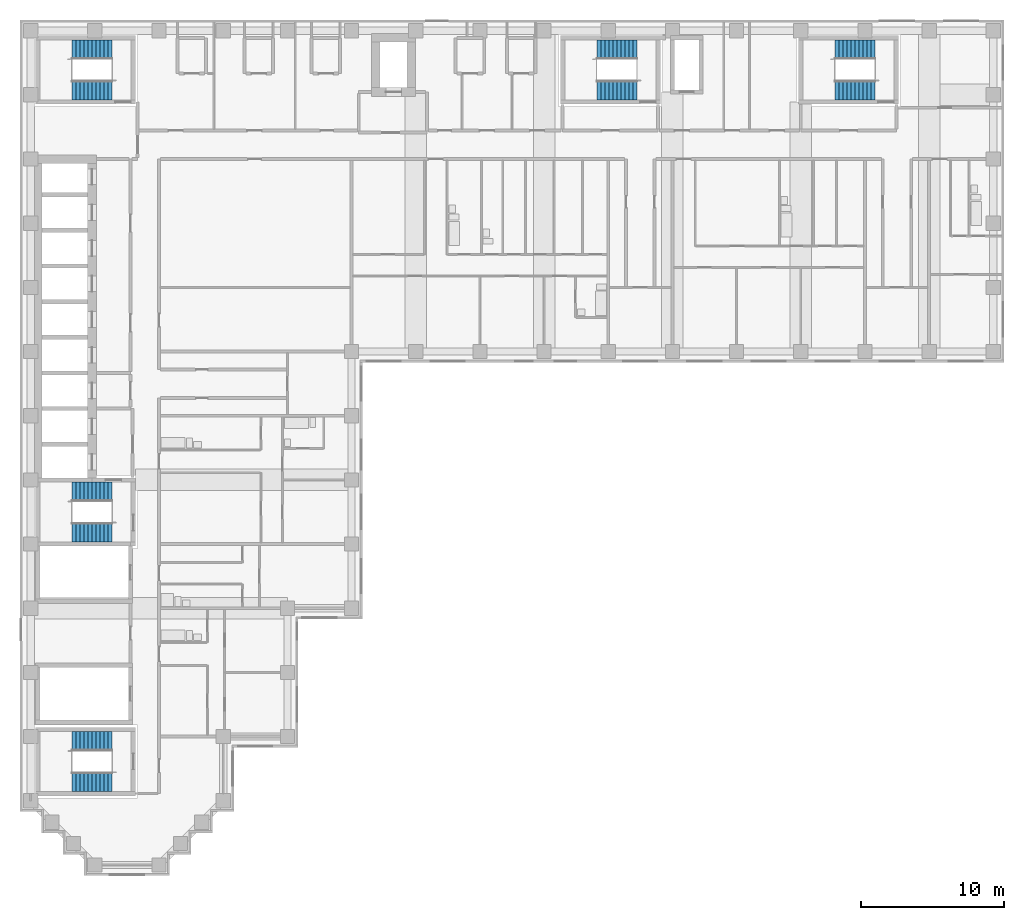
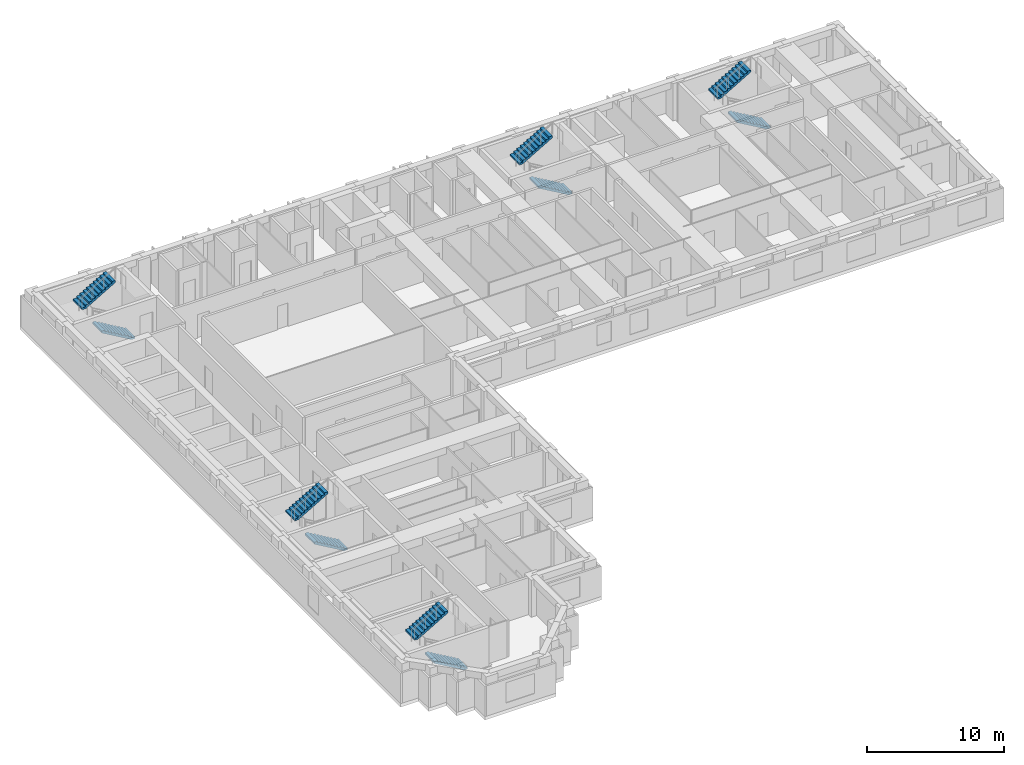
# One storey, part 10 of 12: 10 stair flights, 5 elements without a shape of their own.
"""IFC4 building model written with IfcOpenShell, lengths in metres."""

from ifc_helpers import new_model, si_unit, direction, frame, origin, place, context, subcontext, project, spatial, polyline, outline, extrude, material, type_object, element, aggregate, save


model = new_model("IFC4")

# Units and contexts
model_context = context("Model", 3, precision=1e-05, world=origin(), true_north=direction((0.0, 1.0)))
body_context = subcontext(model_context, "Body", "Model", "MODEL_VIEW")
ifc_project = project(units=[si_unit("LENGTHUNIT", "METRE"), si_unit("AREAUNIT", "SQUARE_METRE"), si_unit("VOLUMEUNIT", "CUBIC_METRE"), si_unit("PLANEANGLEUNIT", "RADIAN"), si_unit("MASSUNIT", "GRAM", prefix="KILO")], contexts=[model_context])

# Site, building, storey
site_placement = place(None, origin())
site = spatial("IfcSite", under=ifc_project, at=site_placement, CompositionType="ELEMENT")
building_placement = place(site_placement, origin())
building = spatial("IfcBuilding", under=site, at=building_placement, Name="Firuza Court", CompositionType="ELEMENT")
storey_placement = place(building_placement, frame((0.0, 0.0, 155.60009765625)))
storey = spatial("IfcBuildingStorey", under=building, at=storey_placement, Name="L39", CompositionType="ELEMENT", Elevation=155.60009765625)

# Stair, stair flights
ifc_material_1 = material(Name="Concrete C40/50 precast", Category="concrete")
stair_type = type_object("IfcStairType", Name="Stair 1350 x 3600 2 flights", PredefinedType="HALF_TURN_STAIR", material=ifc_material_1)
stair_1_placement = place(storey_placement, origin())
stair_1 = element("IfcStair", 1, at=stair_1_placement, inside=storey, type_object=stair_type, Name="Stair 1 L39", PredefinedType="HALF_TURN_STAIR")
ifc_material_2 = material(Name="Concrete C40/50 precast", Category="concrete")
stair_flight_type = type_object("IfcStairFlightType", Name="Flight 1350 riser 163.6", PredefinedType="STRAIGHT", material=ifc_material_2)
stair_flight_1_placement = place(storey_placement, frame((42.5, 54.324951171875, 0.0), z_axis=(0.0, 0.0, 1.0), x_axis=(-1.0, 0.0, 0.0)))
stair_flight_1 = element("IfcStairFlight", 2, at=stair_flight_1_placement, type_object=stair_flight_type, Name="S1 flight 1", NumberOfRisers=11, NumberOfTreads=10, PredefinedType="STRAIGHT", RiserHeight=0.163636364, TreadLength=0.28, context=body_context, shape_type="SweptSolid", body=[
    extrude(outline(polyline([(0.0, 0.0), (0.0, 0.16357421875), (0.280029296875, 0.16357421875), (0.280029296875, 0.327392578125), (0.56005859375, 0.327392578125), (0.56005859375, 0.490966796875), (0.840087890625, 0.490966796875), (0.840087890625, 0.654541015625), (1.1201171875, 0.654541015625), (1.1201171875, 0.818115234375), (1.39990234375, 0.818115234375), (1.39990234375, 0.98193359375), (1.679931640625, 0.98193359375), (1.679931640625, 1.1455078125), (1.9599609375, 1.1455078125), (1.9599609375, 1.30908203125), (2.239990234375, 1.30908203125), (2.239990234375, 1.47265625), (2.52001953125, 1.47265625), (2.52001953125, 1.636474609375), (2.800048828125, 1.636474609375), (2.800048828125, 1.800048828125), (2.800048828125, 1.462646484375), (0.297119140625, 0.0), (0.0, 0.0)])), frame((0.0, 0.675048828125, 0.0), z_axis=(0.0, -1.0, 0.0), x_axis=(1.0, 0.0, 0.0)), (0.0, 0.0, 1.0), 1.35009765625),
])
stair_flight_2_placement = place(storey_placement, frame((39.699951171875, 57.175048828125, 1.7998046875), z_axis=(0.0, 0.0, 1.0), x_axis=(1.0, 0.0, 0.0)))
stair_flight_2 = element("IfcStairFlight", 3, at=stair_flight_2_placement, type_object=stair_flight_type, Name="S1 flight 2", NumberOfRisers=11, NumberOfTreads=10, PredefinedType="STRAIGHT", RiserHeight=0.163636364, TreadLength=0.28, context=body_context, shape_type="SweptSolid", body=[
    extrude(outline(polyline([(0.0, 0.0), (0.0, 0.16357421875), (0.280029296875, 0.16357421875), (0.280029296875, 0.327392578125), (0.56005859375, 0.327392578125), (0.56005859375, 0.490966796875), (0.840087890625, 0.490966796875), (0.840087890625, 0.654541015625), (1.1201171875, 0.654541015625), (1.1201171875, 0.818115234375), (1.39990234375, 0.818115234375), (1.39990234375, 0.98193359375), (1.679931640625, 0.98193359375), (1.679931640625, 1.1455078125), (1.9599609375, 1.1455078125), (1.9599609375, 1.30908203125), (2.239990234375, 1.30908203125), (2.239990234375, 1.47265625), (2.52001953125, 1.47265625), (2.52001953125, 1.636474609375), (2.800048828125, 1.636474609375), (2.800048828125, 1.800048828125), (2.800048828125, 1.462646484375), (0.297119140625, 0.0), (0.0, 0.0)])), frame((0.0, 0.675048828125, 0.0), z_axis=(0.0, -1.0, 0.0), x_axis=(1.0, 0.0, 0.0)), (0.0, 0.0, 1.0), 1.35009765625),
])
aggregate(stair_1, [stair_flight_1, stair_flight_2])

stair_2_placement = place(storey_placement, origin())
stair_2 = element("IfcStair", 4, at=stair_2_placement, inside=storey, type_object=stair_type, Name="Stair 2 L39", PredefinedType="HALF_TURN_STAIR")
stair_flight_3_placement = place(storey_placement, frame((5.699951171875, 23.324951171875, 0.0), z_axis=(0.0, 0.0, 1.0), x_axis=(-1.0, 0.0, 0.0)))
stair_flight_3 = element("IfcStairFlight", 5, at=stair_flight_3_placement, type_object=stair_flight_type, Name="S2 flight 1", NumberOfRisers=11, NumberOfTreads=10, PredefinedType="STRAIGHT", RiserHeight=0.163636364, TreadLength=0.28, context=body_context, shape_type="SweptSolid", body=[
    extrude(outline(polyline([(0.0, 0.0), (0.0, 0.16357421875), (0.280029296875, 0.16357421875), (0.280029296875, 0.327392578125), (0.56005859375, 0.327392578125), (0.56005859375, 0.490966796875), (0.840087890625, 0.490966796875), (0.840087890625, 0.654541015625), (1.1201171875, 0.654541015625), (1.1201171875, 0.818115234375), (1.39990234375, 0.818115234375), (1.39990234375, 0.98193359375), (1.679931640625, 0.98193359375), (1.679931640625, 1.1455078125), (1.9599609375, 1.1455078125), (1.9599609375, 1.30908203125), (2.239990234375, 1.30908203125), (2.239990234375, 1.47265625), (2.52001953125, 1.47265625), (2.52001953125, 1.636474609375), (2.800048828125, 1.636474609375), (2.800048828125, 1.800048828125), (2.800048828125, 1.462646484375), (0.297119140625, 0.0), (0.0, 0.0)])), frame((0.0, 0.675048828125, 0.0), z_axis=(0.0, -1.0, 0.0), x_axis=(1.0, 0.0, 0.0)), (0.0, 0.0, 1.0), 1.35009765625),
])
stair_flight_4_placement = place(storey_placement, frame((2.89990234375, 26.175048828125, 1.7998046875), z_axis=(0.0, 0.0, 1.0), x_axis=(1.0, 0.0, 0.0)))
stair_flight_4 = element("IfcStairFlight", 6, at=stair_flight_4_placement, type_object=stair_flight_type, Name="S2 flight 2", NumberOfRisers=11, NumberOfTreads=10, PredefinedType="STRAIGHT", RiserHeight=0.163636364, TreadLength=0.28, context=body_context, shape_type="SweptSolid", body=[
    extrude(outline(polyline([(0.0, 0.0), (0.0, 0.16357421875), (0.280029296875, 0.16357421875), (0.280029296875, 0.327392578125), (0.56005859375, 0.327392578125), (0.56005859375, 0.490966796875), (0.840087890625, 0.490966796875), (0.840087890625, 0.654541015625), (1.1201171875, 0.654541015625), (1.1201171875, 0.818115234375), (1.39990234375, 0.818115234375), (1.39990234375, 0.98193359375), (1.679931640625, 0.98193359375), (1.679931640625, 1.1455078125), (1.9599609375, 1.1455078125), (1.9599609375, 1.30908203125), (2.239990234375, 1.30908203125), (2.239990234375, 1.47265625), (2.52001953125, 1.47265625), (2.52001953125, 1.636474609375), (2.800048828125, 1.636474609375), (2.800048828125, 1.800048828125), (2.800048828125, 1.462646484375), (0.297119140625, 0.0), (0.0, 0.0)])), frame((0.0, 0.675048828125, 0.0), z_axis=(0.0, -1.0, 0.0), x_axis=(1.0, 0.0, 0.0)), (0.0, 0.0, 1.0), 1.35009765625),
])
aggregate(stair_2, [stair_flight_3, stair_flight_4])

stair_3_placement = place(storey_placement, origin())
stair_3 = element("IfcStair", 7, at=stair_3_placement, inside=storey, type_object=stair_type, Name="Stair 3 L39", PredefinedType="HALF_TURN_STAIR")
stair_flight_5_placement = place(storey_placement, frame((5.699951171875, 54.324951171875, 0.0), z_axis=(0.0, 0.0, 1.0), x_axis=(-1.0, 0.0, 0.0)))
stair_flight_5 = element("IfcStairFlight", 8, at=stair_flight_5_placement, type_object=stair_flight_type, Name="S3 flight 1", NumberOfRisers=11, NumberOfTreads=10, PredefinedType="STRAIGHT", RiserHeight=0.163636364, TreadLength=0.28, context=body_context, shape_type="SweptSolid", body=[
    extrude(outline(polyline([(0.0, 0.0), (0.0, 0.16357421875), (0.280029296875, 0.16357421875), (0.280029296875, 0.327392578125), (0.56005859375, 0.327392578125), (0.56005859375, 0.490966796875), (0.840087890625, 0.490966796875), (0.840087890625, 0.654541015625), (1.1201171875, 0.654541015625), (1.1201171875, 0.818115234375), (1.39990234375, 0.818115234375), (1.39990234375, 0.98193359375), (1.679931640625, 0.98193359375), (1.679931640625, 1.1455078125), (1.9599609375, 1.1455078125), (1.9599609375, 1.30908203125), (2.239990234375, 1.30908203125), (2.239990234375, 1.47265625), (2.52001953125, 1.47265625), (2.52001953125, 1.636474609375), (2.800048828125, 1.636474609375), (2.800048828125, 1.800048828125), (2.800048828125, 1.462646484375), (0.297119140625, 0.0), (0.0, 0.0)])), frame((0.0, 0.675048828125, 0.0), z_axis=(0.0, -1.0, 0.0), x_axis=(1.0, 0.0, 0.0)), (0.0, 0.0, 1.0), 1.35009765625),
])
stair_flight_6_placement = place(storey_placement, frame((2.89990234375, 57.175048828125, 1.7998046875), z_axis=(0.0, 0.0, 1.0), x_axis=(1.0, 0.0, 0.0)))
stair_flight_6 = element("IfcStairFlight", 9, at=stair_flight_6_placement, type_object=stair_flight_type, Name="S3 flight 2", NumberOfRisers=11, NumberOfTreads=10, PredefinedType="STRAIGHT", RiserHeight=0.163636364, TreadLength=0.28, context=body_context, shape_type="SweptSolid", body=[
    extrude(outline(polyline([(0.0, 0.0), (0.0, 0.16357421875), (0.280029296875, 0.16357421875), (0.280029296875, 0.327392578125), (0.56005859375, 0.327392578125), (0.56005859375, 0.490966796875), (0.840087890625, 0.490966796875), (0.840087890625, 0.654541015625), (1.1201171875, 0.654541015625), (1.1201171875, 0.818115234375), (1.39990234375, 0.818115234375), (1.39990234375, 0.98193359375), (1.679931640625, 0.98193359375), (1.679931640625, 1.1455078125), (1.9599609375, 1.1455078125), (1.9599609375, 1.30908203125), (2.239990234375, 1.30908203125), (2.239990234375, 1.47265625), (2.52001953125, 1.47265625), (2.52001953125, 1.636474609375), (2.800048828125, 1.636474609375), (2.800048828125, 1.800048828125), (2.800048828125, 1.462646484375), (0.297119140625, 0.0), (0.0, 0.0)])), frame((0.0, 0.675048828125, 0.0), z_axis=(0.0, -1.0, 0.0), x_axis=(1.0, 0.0, 0.0)), (0.0, 0.0, 1.0), 1.35009765625),
])
aggregate(stair_3, [stair_flight_5, stair_flight_6])

stair_4_placement = place(storey_placement, origin())
stair_4 = element("IfcStair", 10, at=stair_4_placement, inside=storey, type_object=stair_type, Name="Stair 4 L39", PredefinedType="HALF_TURN_STAIR")
stair_flight_7_placement = place(storey_placement, frame((59.199951171875, 54.324951171875, 0.0), z_axis=(0.0, 0.0, 1.0), x_axis=(-1.0, 0.0, 0.0)))
stair_flight_7 = element("IfcStairFlight", 11, at=stair_flight_7_placement, type_object=stair_flight_type, Name="S4 flight 1", NumberOfRisers=11, NumberOfTreads=10, PredefinedType="STRAIGHT", RiserHeight=0.163636364, TreadLength=0.28, context=body_context, shape_type="SweptSolid", body=[
    extrude(outline(polyline([(0.0, 0.0), (0.0, 0.16357421875), (0.280029296875, 0.16357421875), (0.280029296875, 0.327392578125), (0.56005859375, 0.327392578125), (0.56005859375, 0.490966796875), (0.840087890625, 0.490966796875), (0.840087890625, 0.654541015625), (1.1201171875, 0.654541015625), (1.1201171875, 0.818115234375), (1.39990234375, 0.818115234375), (1.39990234375, 0.98193359375), (1.679931640625, 0.98193359375), (1.679931640625, 1.1455078125), (1.9599609375, 1.1455078125), (1.9599609375, 1.30908203125), (2.239990234375, 1.30908203125), (2.239990234375, 1.47265625), (2.52001953125, 1.47265625), (2.52001953125, 1.636474609375), (2.800048828125, 1.636474609375), (2.800048828125, 1.800048828125), (2.800048828125, 1.462646484375), (0.297119140625, 0.0), (0.0, 0.0)])), frame((0.0, 0.675048828125, 0.0), z_axis=(0.0, -1.0, 0.0), x_axis=(1.0, 0.0, 0.0)), (0.0, 0.0, 1.0), 1.35009765625),
])
stair_flight_8_placement = place(storey_placement, frame((56.39990234375, 57.175048828125, 1.7998046875), z_axis=(0.0, 0.0, 1.0), x_axis=(1.0, 0.0, 0.0)))
stair_flight_8 = element("IfcStairFlight", 12, at=stair_flight_8_placement, type_object=stair_flight_type, Name="S4 flight 2", NumberOfRisers=11, NumberOfTreads=10, PredefinedType="STRAIGHT", RiserHeight=0.163636364, TreadLength=0.28, context=body_context, shape_type="SweptSolid", body=[
    extrude(outline(polyline([(0.0, 0.0), (0.0, 0.16357421875), (0.280029296875, 0.16357421875), (0.280029296875, 0.327392578125), (0.56005859375, 0.327392578125), (0.56005859375, 0.490966796875), (0.840087890625, 0.490966796875), (0.840087890625, 0.654541015625), (1.1201171875, 0.654541015625), (1.1201171875, 0.818115234375), (1.39990234375, 0.818115234375), (1.39990234375, 0.98193359375), (1.679931640625, 0.98193359375), (1.679931640625, 1.1455078125), (1.9599609375, 1.1455078125), (1.9599609375, 1.30908203125), (2.239990234375, 1.30908203125), (2.239990234375, 1.47265625), (2.52001953125, 1.47265625), (2.52001953125, 1.636474609375), (2.800048828125, 1.636474609375), (2.800048828125, 1.800048828125), (2.800048828125, 1.462646484375), (0.297119140625, 0.0), (0.0, 0.0)])), frame((0.0, 0.675048828125, 0.0), z_axis=(0.0, -1.0, 0.0), x_axis=(1.0, 0.0, 0.0)), (0.0, 0.0, 1.0), 1.35009765625),
])
aggregate(stair_4, [stair_flight_7, stair_flight_8])

stair_5_placement = place(storey_placement, origin())
stair_5 = element("IfcStair", 13, at=stair_5_placement, inside=storey, type_object=stair_type, Name="Stair 5 L39", PredefinedType="HALF_TURN_STAIR")
stair_flight_9_placement = place(storey_placement, frame((5.699951171875, 5.824951171875, 0.0), z_axis=(0.0, 0.0, 1.0), x_axis=(-1.0, 0.0, 0.0)))
stair_flight_9 = element("IfcStairFlight", 14, at=stair_flight_9_placement, type_object=stair_flight_type, Name="S5 flight 1", NumberOfRisers=11, NumberOfTreads=10, PredefinedType="STRAIGHT", RiserHeight=0.163636364, TreadLength=0.28, context=body_context, shape_type="SweptSolid", body=[
    extrude(outline(polyline([(0.0, 0.0), (0.0, 0.16357421875), (0.280029296875, 0.16357421875), (0.280029296875, 0.327392578125), (0.56005859375, 0.327392578125), (0.56005859375, 0.490966796875), (0.840087890625, 0.490966796875), (0.840087890625, 0.654541015625), (1.1201171875, 0.654541015625), (1.1201171875, 0.818115234375), (1.39990234375, 0.818115234375), (1.39990234375, 0.98193359375), (1.679931640625, 0.98193359375), (1.679931640625, 1.1455078125), (1.9599609375, 1.1455078125), (1.9599609375, 1.30908203125), (2.239990234375, 1.30908203125), (2.239990234375, 1.47265625), (2.52001953125, 1.47265625), (2.52001953125, 1.636474609375), (2.800048828125, 1.636474609375), (2.800048828125, 1.800048828125), (2.800048828125, 1.462646484375), (0.297119140625, 0.0), (0.0, 0.0)])), frame((0.0, 0.675048828125, 0.0), z_axis=(0.0, -1.0, 0.0), x_axis=(1.0, 0.0, 0.0)), (0.0, 0.0, 1.0), 1.35009765625),
])
stair_flight_10_placement = place(storey_placement, frame((2.89990234375, 8.675048828125, 1.7998046875), z_axis=(0.0, 0.0, 1.0), x_axis=(1.0, 0.0, 0.0)))
stair_flight_10 = element("IfcStairFlight", 15, at=stair_flight_10_placement, type_object=stair_flight_type, Name="S5 flight 2", NumberOfRisers=11, NumberOfTreads=10, PredefinedType="STRAIGHT", RiserHeight=0.163636364, TreadLength=0.28, context=body_context, shape_type="SweptSolid", body=[
    extrude(outline(polyline([(0.0, 0.0), (0.0, 0.16357421875), (0.280029296875, 0.16357421875), (0.280029296875, 0.327392578125), (0.56005859375, 0.327392578125), (0.56005859375, 0.490966796875), (0.840087890625, 0.490966796875), (0.840087890625, 0.654541015625), (1.1201171875, 0.654541015625), (1.1201171875, 0.818115234375), (1.39990234375, 0.818115234375), (1.39990234375, 0.98193359375), (1.679931640625, 0.98193359375), (1.679931640625, 1.1455078125), (1.9599609375, 1.1455078125), (1.9599609375, 1.30908203125), (2.239990234375, 1.30908203125), (2.239990234375, 1.47265625), (2.52001953125, 1.47265625), (2.52001953125, 1.636474609375), (2.800048828125, 1.636474609375), (2.800048828125, 1.800048828125), (2.800048828125, 1.462646484375), (0.297119140625, 0.0), (0.0, 0.0)])), frame((0.0, 0.675048828125, 0.0), z_axis=(0.0, -1.0, 0.0), x_axis=(1.0, 0.0, 0.0)), (0.0, 0.0, 1.0), 1.35009765625),
])
aggregate(stair_5, [stair_flight_9, stair_flight_10])

save(model, "model.ifc")
